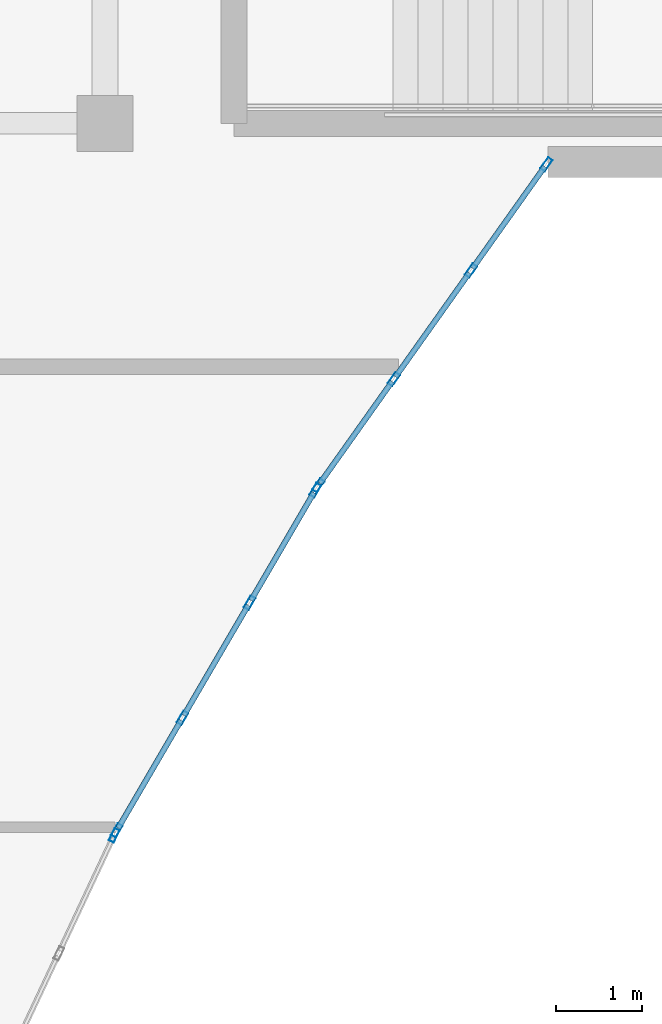
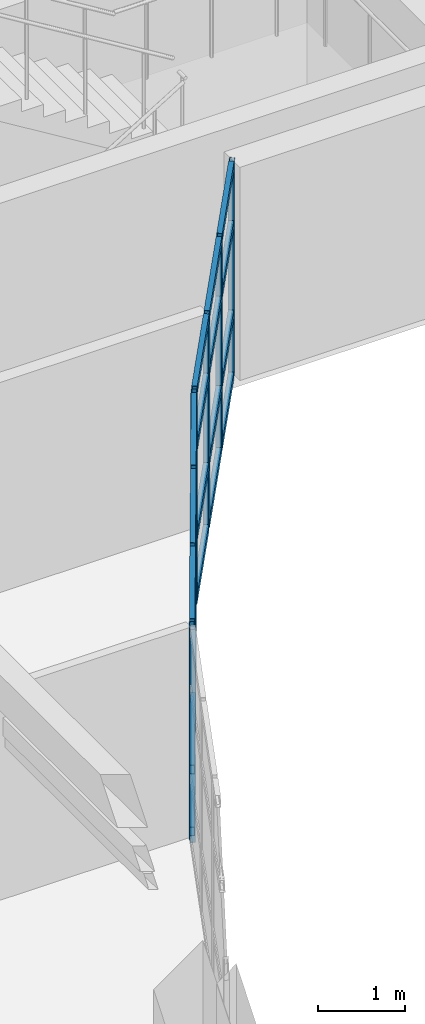
# One storey, part 9 of 89: 33 members, 3 elements without a shape of their own.
"""IFC4 building model written with IfcOpenShell, lengths in metres."""

from ifc_helpers import new_model, si_unit, direction, frame, origin, origin_2d, place, context, subcontext, project, spatial, hollow_rectangle, extrude, material, layer, layer_set, material_profile, profile_set, type_object, element, aggregate, save


model = new_model("IFC4")

# Units and contexts
model_context = context("Model", 3, precision=1e-05, world=origin(), true_north=direction((0.0, 1.0)))
body_context = subcontext(model_context, "Body", "Model", "MODEL_VIEW")
ifc_project = project(units=[si_unit("LENGTHUNIT", "METRE"), si_unit("AREAUNIT", "SQUARE_METRE"), si_unit("VOLUMEUNIT", "CUBIC_METRE"), si_unit("PLANEANGLEUNIT", "RADIAN"), si_unit("MASSUNIT", "GRAM", prefix="KILO")], contexts=[model_context])

# Site, building, storey
site_placement = place(None, origin())
site = spatial("IfcSite", under=ifc_project, at=site_placement, CompositionType="ELEMENT")
building_placement = place(site_placement, origin())
building = spatial("IfcBuilding", under=site, at=building_placement, Name="Keldmere Railside Commons", CompositionType="ELEMENT")
storey_placement = place(building_placement, frame((0.0, 0.0, 7.360107421875)))
storey = spatial("IfcBuildingStorey", under=building, at=storey_placement, Name="L02", CompositionType="ELEMENT", Elevation=7.360107421875)

# Curtain wall, member
ifc_material = material(Name="Thermally Broken Aluminium", Category="aluminium")
ifc_layer_1 = layer(ifc_material, 0.159912109375, Name="Court Chord Wintergarden CW 4800x2850")
ifc_layer_set_1 = layer_set([ifc_layer_1], Name="Thermally Broken Aluminium")
curtain_wall_type_1 = type_object("IfcCurtainWallType", Name="Court Chord Wintergarden CW 4800x2850", PredefinedType="NOTDEFINED", material=ifc_layer_set_1)
curtain_wall_1_placement = place(storey_placement, origin())
curtain_wall_1 = element("IfcCurtainWall", 1, at=curtain_wall_1_placement, inside=storey, type_object=curtain_wall_type_1, Name="CW-12 CW-L02-007", PredefinedType="NOTDEFINED")
ifc_material_profile_1 = material_profile(ifc_material, hollow_rectangle(XDim=0.06494140625, YDim=0.159912109375, WallThickness=0.00390625, at=origin_2d()), Name="ALU-MULL-65x160")
ifc_profile_set_1 = profile_set([ifc_material_profile_1], Name="Thermally Broken Aluminium")
member_type_1 = type_object("IfcMemberType", Name="Unitised Curtain Wall Mullion 65x160", PredefinedType="MULLION", material=ifc_profile_set_1)
member_1_placement = place(storey_placement, frame((25.958251953125, 92.173583984375, 0.0), z_axis=(0.0, 0.0, 1.0), x_axis=(0.905306255478, -0.424759442264, 0.0)))
member_1 = element("IfcMember", 2, at=member_1_placement, type_object=member_type_1, Name="CW-12 mullion 1", PredefinedType="MULLION", context=body_context, shape_type="SweptSolid", body=[
    extrude(hollow_rectangle(XDim=0.06494140625, YDim=0.159912109375, WallThickness=0.00390625, at=origin_2d()), origin(), (0.0, 0.0, 1.0), 2.97998046875),
])
aggregate(curtain_wall_1, [member_1])

# Curtain wall, members
ifc_layer_2 = layer(ifc_material, 0.159912109375, Name="Court Chord Wintergarden CW 5400x2850")
ifc_layer_set_2 = layer_set([ifc_layer_2], Name="Thermally Broken Aluminium")
curtain_wall_type_2 = type_object("IfcCurtainWallType", Name="Court Chord Wintergarden CW 5400x2850", PredefinedType="NOTDEFINED", material=ifc_layer_set_2)
curtain_wall_2_placement = place(storey_placement, origin())
curtain_wall_2 = element("IfcCurtainWall", 3, at=curtain_wall_2_placement, inside=storey, type_object=curtain_wall_type_2, Name="CW-13 CW-L02-008", PredefinedType="NOTDEFINED")
member_2_placement = place(storey_placement, frame((28.295654296875, 96.18603515625, 0.0), z_axis=(0.0, 0.0, 1.0), x_axis=(0.86375546846, -0.503911193272, 0.0)))
member_2 = element("IfcMember", 4, at=member_2_placement, type_object=member_type_1, Name="CW-13 mullion 1", PredefinedType="MULLION", context=body_context, shape_type="SweptSolid", body=[
    extrude(hollow_rectangle(XDim=0.06494140625, YDim=0.159912109375, WallThickness=0.00390625, at=origin_2d()), origin(), (0.0, 0.0, 1.0), 2.97998046875),
])
member_3_placement = place(storey_placement, frame((27.531982421875, 94.876953125, 0.0), z_axis=(0.0, 0.0, 1.0), x_axis=(0.86375546846, -0.503911193272, 0.0)))
member_3 = element("IfcMember", 5, at=member_3_placement, type_object=member_type_1, Name="CW-13 mullion 2", PredefinedType="MULLION", context=body_context, shape_type="SweptSolid", body=[
    extrude(hollow_rectangle(XDim=0.06494140625, YDim=0.159912109375, WallThickness=0.00390625, at=origin_2d()), origin(), (0.0, 0.0, 1.0), 2.97998046875),
])
member_4_placement = place(storey_placement, frame((26.751953125, 93.5400390625, 0.0), z_axis=(0.0, 0.0, 1.0), x_axis=(0.86375546846, -0.503911193272, 0.0)))
member_4 = element("IfcMember", 6, at=member_4_placement, type_object=member_type_1, Name="CW-13 mullion 3", PredefinedType="MULLION", context=body_context, shape_type="SweptSolid", body=[
    extrude(hollow_rectangle(XDim=0.06494140625, YDim=0.159912109375, WallThickness=0.00390625, at=origin_2d()), origin(), (0.0, 0.0, 1.0), 2.97998046875),
])
member_5_placement = place(storey_placement, frame((25.98828125, 92.23095703125, 0.0), z_axis=(0.0, 0.0, 1.0), x_axis=(0.86375546846, -0.503911193272, 0.0)))
member_5 = element("IfcMember", 7, at=member_5_placement, type_object=member_type_1, Name="CW-13 mullion 4", PredefinedType="MULLION", context=body_context, shape_type="SweptSolid", body=[
    extrude(hollow_rectangle(XDim=0.06494140625, YDim=0.159912109375, WallThickness=0.00390625, at=origin_2d()), origin(), (0.0, 0.0, 1.0), 2.97998046875),
])

curtain_wall_3_placement = place(storey_placement, origin())
curtain_wall_3 = element("IfcCurtainWall", 8, at=curtain_wall_3_placement, inside=storey, type_object=curtain_wall_type_1, Name="CW-12 CW-L02-009", PredefinedType="NOTDEFINED")
member_6_placement = place(storey_placement, frame((30.981201171875, 99.973388671875, 0.0), z_axis=(0.0, 0.0, 1.0), x_axis=(0.815389084395, -0.578913327753, 0.0)))
member_6 = element("IfcMember", 9, at=member_6_placement, type_object=member_type_1, Name="CW-12 mullion 1", PredefinedType="MULLION", context=body_context, shape_type="SweptSolid", body=[
    extrude(hollow_rectangle(XDim=0.06494140625, YDim=0.159912109375, WallThickness=0.00390625, at=origin_2d()), origin(), (0.0, 0.0, 1.0), 2.97998046875),
])
member_7_placement = place(storey_placement, frame((30.10400390625, 98.738037109375, 0.0), z_axis=(0.0, 0.0, 1.0), x_axis=(0.815389084395, -0.578913327753, 0.0)))
member_7 = element("IfcMember", 10, at=member_7_placement, type_object=member_type_1, Name="CW-12 mullion 2", PredefinedType="MULLION", context=body_context, shape_type="SweptSolid", body=[
    extrude(hollow_rectangle(XDim=0.06494140625, YDim=0.159912109375, WallThickness=0.00390625, at=origin_2d()), origin(), (0.0, 0.0, 1.0), 2.97998046875),
])
member_8_placement = place(storey_placement, frame((29.2080078125, 97.47607421875, 0.0), z_axis=(0.0, 0.0, 1.0), x_axis=(0.815389084395, -0.578913327753, 0.0)))
member_8 = element("IfcMember", 11, at=member_8_placement, type_object=member_type_1, Name="CW-12 mullion 3", PredefinedType="MULLION", context=body_context, shape_type="SweptSolid", body=[
    extrude(hollow_rectangle(XDim=0.06494140625, YDim=0.159912109375, WallThickness=0.00390625, at=origin_2d()), origin(), (0.0, 0.0, 1.0), 2.97998046875),
])
member_9_placement = place(storey_placement, frame((28.330810546875, 96.240478515625, 0.0), z_axis=(0.0, 0.0, 1.0), x_axis=(0.815389084395, -0.578913327753, 0.0)))
member_9 = element("IfcMember", 12, at=member_9_placement, type_object=member_type_1, Name="CW-12 mullion 4", PredefinedType="MULLION", context=body_context, shape_type="SweptSolid", body=[
    extrude(hollow_rectangle(XDim=0.06494140625, YDim=0.159912109375, WallThickness=0.00390625, at=origin_2d()), origin(), (0.0, 0.0, 1.0), 2.97998046875),
])

# Member
ifc_material_profile_2 = material_profile(ifc_material, hollow_rectangle(XDim=0.06494140625, YDim=0.1201171875, WallThickness=0.00390625, at=origin_2d()), Name="ALU-TRAN-65x120")
ifc_profile_set_2 = profile_set([ifc_material_profile_2], Name="Thermally Broken Aluminium")
member_type_2 = type_object("IfcMemberType", Name="Unitised Curtain Wall Transom 65x120", PredefinedType="USERDEFINED", material=ifc_profile_set_2)
member_10_placement = place(storey_placement, frame((28.279296875, 96.157958984375, 0.032470703125), z_axis=(-0.503912883812, -0.863754482205, 0.0), x_axis=(0.863754482205, -0.503912883812, 0.0)))
member_10 = element("IfcMember", 13, at=member_10_placement, type_object=member_type_2, Name="CW-13 transom 1.1", ObjectType="TRANSOM", PredefinedType="USERDEFINED", context=body_context, shape_type="SweptSolid", body=[
    extrude(hollow_rectangle(XDim=0.06494140625, YDim=0.1201171875, WallThickness=0.00390625, at=origin_2d()), origin(), (0.0, 0.0, 1.0), 1.45068359375),
])

member_11_placement = place(storey_placement, frame((28.279296875, 96.157958984375, 0.89990234375), z_axis=(-0.503912883812, -0.863754482205, 0.0), x_axis=(0.863754482205, -0.503912883812, 0.0)))
member_11 = element("IfcMember", 14, at=member_11_placement, type_object=member_type_2, Name="CW-13 transom 1.2", ObjectType="TRANSOM", PredefinedType="USERDEFINED", context=body_context, shape_type="SweptSolid", body=[
    extrude(hollow_rectangle(XDim=0.06494140625, YDim=0.1201171875, WallThickness=0.00390625, at=origin_2d()), origin(), (0.0, 0.0, 1.0), 1.45068359375),
])

member_12_placement = place(storey_placement, frame((28.279296875, 96.157958984375, 2.14990234375), z_axis=(-0.503912883812, -0.863754482205, 0.0), x_axis=(0.863754482205, -0.503912883812, 0.0)))
member_12 = element("IfcMember", 15, at=member_12_placement, type_object=member_type_2, Name="CW-13 transom 1.3", ObjectType="TRANSOM", PredefinedType="USERDEFINED", context=body_context, shape_type="SweptSolid", body=[
    extrude(hollow_rectangle(XDim=0.06494140625, YDim=0.1201171875, WallThickness=0.00390625, at=origin_2d()), origin(), (0.0, 0.0, 1.0), 1.45068359375),
])

member_13_placement = place(storey_placement, frame((28.279296875, 96.157958984375, 2.947509765625), z_axis=(-0.503912883812, -0.863754482205, 0.0), x_axis=(0.863754482205, -0.503912883812, 0.0)))
member_13 = element("IfcMember", 16, at=member_13_placement, type_object=member_type_2, Name="CW-13 transom 1.4", ObjectType="TRANSOM", PredefinedType="USERDEFINED", context=body_context, shape_type="SweptSolid", body=[
    extrude(hollow_rectangle(XDim=0.06494140625, YDim=0.1201171875, WallThickness=0.00390625, at=origin_2d()), origin(), (0.0, 0.0, 1.0), 1.45068359375),
])

member_14_placement = place(storey_placement, frame((27.515625, 94.848876953125, 0.032470703125), z_axis=(-0.503973390927, -0.863719179616, 0.0), x_axis=(0.863719179616, -0.503973390927, 0.0)))
member_14 = element("IfcMember", 17, at=member_14_placement, type_object=member_type_2, Name="CW-13 transom 2.1", ObjectType="TRANSOM", PredefinedType="USERDEFINED", context=body_context, shape_type="SweptSolid", body=[
    extrude(hollow_rectangle(XDim=0.06494140625, YDim=0.1201171875, WallThickness=0.00390625, at=origin_2d()), origin(), (0.0, 0.0, 1.0), 1.48291015625),
])

member_15_placement = place(storey_placement, frame((27.515625, 94.848876953125, 0.89990234375), z_axis=(-0.503973390927, -0.863719179616, 0.0), x_axis=(0.863719179616, -0.503973390927, 0.0)))
member_15 = element("IfcMember", 18, at=member_15_placement, type_object=member_type_2, Name="CW-13 transom 2.2", ObjectType="TRANSOM", PredefinedType="USERDEFINED", context=body_context, shape_type="SweptSolid", body=[
    extrude(hollow_rectangle(XDim=0.06494140625, YDim=0.1201171875, WallThickness=0.00390625, at=origin_2d()), origin(), (0.0, 0.0, 1.0), 1.48291015625),
])

member_16_placement = place(storey_placement, frame((27.515625, 94.848876953125, 2.14990234375), z_axis=(-0.503973390927, -0.863719179616, 0.0), x_axis=(0.863719179616, -0.503973390927, 0.0)))
member_16 = element("IfcMember", 19, at=member_16_placement, type_object=member_type_2, Name="CW-13 transom 2.3", ObjectType="TRANSOM", PredefinedType="USERDEFINED", context=body_context, shape_type="SweptSolid", body=[
    extrude(hollow_rectangle(XDim=0.06494140625, YDim=0.1201171875, WallThickness=0.00390625, at=origin_2d()), origin(), (0.0, 0.0, 1.0), 1.48291015625),
])

member_17_placement = place(storey_placement, frame((27.515625, 94.848876953125, 2.947509765625), z_axis=(-0.503973390927, -0.863719179616, 0.0), x_axis=(0.863719179616, -0.503973390927, 0.0)))
member_17 = element("IfcMember", 20, at=member_17_placement, type_object=member_type_2, Name="CW-13 transom 2.4", ObjectType="TRANSOM", PredefinedType="USERDEFINED", context=body_context, shape_type="SweptSolid", body=[
    extrude(hollow_rectangle(XDim=0.06494140625, YDim=0.1201171875, WallThickness=0.00390625, at=origin_2d()), origin(), (0.0, 0.0, 1.0), 1.48291015625),
])

member_18_placement = place(storey_placement, frame((26.735595703125, 93.511962890625, 0.032470703125), z_axis=(-0.503912883812, -0.863754482205, 0.0), x_axis=(0.863754482205, -0.503912883812, 0.0)))
member_18 = element("IfcMember", 21, at=member_18_placement, type_object=member_type_2, Name="CW-13 transom 3.1", ObjectType="TRANSOM", PredefinedType="USERDEFINED", context=body_context, shape_type="SweptSolid", body=[
    extrude(hollow_rectangle(XDim=0.06494140625, YDim=0.1201171875, WallThickness=0.00390625, at=origin_2d()), origin(), (0.0, 0.0, 1.0), 1.45068359375),
])

member_19_placement = place(storey_placement, frame((26.735595703125, 93.511962890625, 0.89990234375), z_axis=(-0.503912883812, -0.863754482205, 0.0), x_axis=(0.863754482205, -0.503912883812, 0.0)))
member_19 = element("IfcMember", 22, at=member_19_placement, type_object=member_type_2, Name="CW-13 transom 3.2", ObjectType="TRANSOM", PredefinedType="USERDEFINED", context=body_context, shape_type="SweptSolid", body=[
    extrude(hollow_rectangle(XDim=0.06494140625, YDim=0.1201171875, WallThickness=0.00390625, at=origin_2d()), origin(), (0.0, 0.0, 1.0), 1.45068359375),
])

member_20_placement = place(storey_placement, frame((26.735595703125, 93.511962890625, 2.14990234375), z_axis=(-0.503912883812, -0.863754482205, 0.0), x_axis=(0.863754482205, -0.503912883812, 0.0)))
member_20 = element("IfcMember", 23, at=member_20_placement, type_object=member_type_2, Name="CW-13 transom 3.3", ObjectType="TRANSOM", PredefinedType="USERDEFINED", context=body_context, shape_type="SweptSolid", body=[
    extrude(hollow_rectangle(XDim=0.06494140625, YDim=0.1201171875, WallThickness=0.00390625, at=origin_2d()), origin(), (0.0, 0.0, 1.0), 1.45068359375),
])

member_21_placement = place(storey_placement, frame((26.735595703125, 93.511962890625, 2.947509765625), z_axis=(-0.503912883812, -0.863754482205, 0.0), x_axis=(0.863754482205, -0.503912883812, 0.0)))
member_21 = element("IfcMember", 24, at=member_21_placement, type_object=member_type_2, Name="CW-13 transom 3.4", ObjectType="TRANSOM", PredefinedType="USERDEFINED", context=body_context, shape_type="SweptSolid", body=[
    extrude(hollow_rectangle(XDim=0.06494140625, YDim=0.1201171875, WallThickness=0.00390625, at=origin_2d()), origin(), (0.0, 0.0, 1.0), 1.45068359375),
])

aggregate(curtain_wall_2, [member_2, member_3, member_4, member_5, member_10, member_11, member_12, member_13, member_14, member_15, member_16, member_17, member_18, member_19, member_20, member_21])

member_22_placement = place(storey_placement, frame((30.96240234375, 99.947021484375, 0.032470703125), z_axis=(-0.578895059002, -0.815402054611, 0.0), x_axis=(0.815402054611, -0.578895059002, 0.0)))
member_22 = element("IfcMember", 25, at=member_22_placement, type_object=member_type_2, Name="CW-12 transom 1.1", ObjectType="TRANSOM", PredefinedType="USERDEFINED", context=body_context, shape_type="SweptSolid", body=[
    extrude(hollow_rectangle(XDim=0.06494140625, YDim=0.1201171875, WallThickness=0.00390625, at=origin_2d()), origin(), (0.0, 0.0, 1.0), 1.450439453125),
])

member_23_placement = place(storey_placement, frame((30.96240234375, 99.947021484375, 0.89990234375), z_axis=(-0.578895059002, -0.815402054611, 0.0), x_axis=(0.815402054611, -0.578895059002, 0.0)))
member_23 = element("IfcMember", 26, at=member_23_placement, type_object=member_type_2, Name="CW-12 transom 1.2", ObjectType="TRANSOM", PredefinedType="USERDEFINED", context=body_context, shape_type="SweptSolid", body=[
    extrude(hollow_rectangle(XDim=0.06494140625, YDim=0.1201171875, WallThickness=0.00390625, at=origin_2d()), origin(), (0.0, 0.0, 1.0), 1.450439453125),
])

member_24_placement = place(storey_placement, frame((30.96240234375, 99.947021484375, 2.14990234375), z_axis=(-0.578895059002, -0.815402054611, 0.0), x_axis=(0.815402054611, -0.578895059002, 0.0)))
member_24 = element("IfcMember", 27, at=member_24_placement, type_object=member_type_2, Name="CW-12 transom 1.3", ObjectType="TRANSOM", PredefinedType="USERDEFINED", context=body_context, shape_type="SweptSolid", body=[
    extrude(hollow_rectangle(XDim=0.06494140625, YDim=0.1201171875, WallThickness=0.00390625, at=origin_2d()), origin(), (0.0, 0.0, 1.0), 1.450439453125),
])

member_25_placement = place(storey_placement, frame((30.96240234375, 99.947021484375, 2.947509765625), z_axis=(-0.578895059002, -0.815402054611, 0.0), x_axis=(0.815402054611, -0.578895059002, 0.0)))
member_25 = element("IfcMember", 28, at=member_25_placement, type_object=member_type_2, Name="CW-12 transom 1.4", ObjectType="TRANSOM", PredefinedType="USERDEFINED", context=body_context, shape_type="SweptSolid", body=[
    extrude(hollow_rectangle(XDim=0.06494140625, YDim=0.1201171875, WallThickness=0.00390625, at=origin_2d()), origin(), (0.0, 0.0, 1.0), 1.450439453125),
])

member_26_placement = place(storey_placement, frame((30.085205078125, 98.71142578125, 0.032470703125), z_axis=(-0.578930676765, -0.815376766593, 0.0), x_axis=(0.815376766593, -0.578930676765, 0.0)))
member_26 = element("IfcMember", 29, at=member_26_placement, type_object=member_type_2, Name="CW-12 transom 2.1", ObjectType="TRANSOM", PredefinedType="USERDEFINED", context=body_context, shape_type="SweptSolid", body=[
    extrude(hollow_rectangle(XDim=0.06494140625, YDim=0.1201171875, WallThickness=0.00390625, at=origin_2d()), origin(), (0.0, 0.0, 1.0), 1.482666015625),
])

member_27_placement = place(storey_placement, frame((30.085205078125, 98.71142578125, 0.89990234375), z_axis=(-0.578930676765, -0.815376766593, 0.0), x_axis=(0.815376766593, -0.578930676765, 0.0)))
member_27 = element("IfcMember", 30, at=member_27_placement, type_object=member_type_2, Name="CW-12 transom 2.2", ObjectType="TRANSOM", PredefinedType="USERDEFINED", context=body_context, shape_type="SweptSolid", body=[
    extrude(hollow_rectangle(XDim=0.06494140625, YDim=0.1201171875, WallThickness=0.00390625, at=origin_2d()), origin(), (0.0, 0.0, 1.0), 1.482666015625),
])

member_28_placement = place(storey_placement, frame((30.085205078125, 98.71142578125, 2.14990234375), z_axis=(-0.578930676765, -0.815376766593, 0.0), x_axis=(0.815376766593, -0.578930676765, 0.0)))
member_28 = element("IfcMember", 31, at=member_28_placement, type_object=member_type_2, Name="CW-12 transom 2.3", ObjectType="TRANSOM", PredefinedType="USERDEFINED", context=body_context, shape_type="SweptSolid", body=[
    extrude(hollow_rectangle(XDim=0.06494140625, YDim=0.1201171875, WallThickness=0.00390625, at=origin_2d()), origin(), (0.0, 0.0, 1.0), 1.482666015625),
])

member_29_placement = place(storey_placement, frame((30.085205078125, 98.71142578125, 2.947509765625), z_axis=(-0.578930676765, -0.815376766593, 0.0), x_axis=(0.815376766593, -0.578930676765, 0.0)))
member_29 = element("IfcMember", 32, at=member_29_placement, type_object=member_type_2, Name="CW-12 transom 2.4", ObjectType="TRANSOM", PredefinedType="USERDEFINED", context=body_context, shape_type="SweptSolid", body=[
    extrude(hollow_rectangle(XDim=0.06494140625, YDim=0.1201171875, WallThickness=0.00390625, at=origin_2d()), origin(), (0.0, 0.0, 1.0), 1.482666015625),
])

member_30_placement = place(storey_placement, frame((29.189208984375, 97.449462890625, 0.032470703125), z_axis=(-0.578974525468, -0.815345631533, 0.0), x_axis=(0.815345631533, -0.578974525468, 0.0)))
member_30 = element("IfcMember", 33, at=member_30_placement, type_object=member_type_2, Name="CW-12 transom 3.1", ObjectType="TRANSOM", PredefinedType="USERDEFINED", context=body_context, shape_type="SweptSolid", body=[
    extrude(hollow_rectangle(XDim=0.06494140625, YDim=0.1201171875, WallThickness=0.00390625, at=origin_2d()), origin(), (0.0, 0.0, 1.0), 1.4501953125),
])

member_31_placement = place(storey_placement, frame((29.189208984375, 97.449462890625, 0.89990234375), z_axis=(-0.578974525468, -0.815345631533, 0.0), x_axis=(0.815345631533, -0.578974525468, 0.0)))
member_31 = element("IfcMember", 34, at=member_31_placement, type_object=member_type_2, Name="CW-12 transom 3.2", ObjectType="TRANSOM", PredefinedType="USERDEFINED", context=body_context, shape_type="SweptSolid", body=[
    extrude(hollow_rectangle(XDim=0.06494140625, YDim=0.1201171875, WallThickness=0.00390625, at=origin_2d()), origin(), (0.0, 0.0, 1.0), 1.4501953125),
])

member_32_placement = place(storey_placement, frame((29.189208984375, 97.449462890625, 2.14990234375), z_axis=(-0.578974525468, -0.815345631533, 0.0), x_axis=(0.815345631533, -0.578974525468, 0.0)))
member_32 = element("IfcMember", 35, at=member_32_placement, type_object=member_type_2, Name="CW-12 transom 3.3", ObjectType="TRANSOM", PredefinedType="USERDEFINED", context=body_context, shape_type="SweptSolid", body=[
    extrude(hollow_rectangle(XDim=0.06494140625, YDim=0.1201171875, WallThickness=0.00390625, at=origin_2d()), origin(), (0.0, 0.0, 1.0), 1.4501953125),
])

member_33_placement = place(storey_placement, frame((29.189208984375, 97.449462890625, 2.947509765625), z_axis=(-0.578974525468, -0.815345631533, 0.0), x_axis=(0.815345631533, -0.578974525468, 0.0)))
member_33 = element("IfcMember", 36, at=member_33_placement, type_object=member_type_2, Name="CW-12 transom 3.4", ObjectType="TRANSOM", PredefinedType="USERDEFINED", context=body_context, shape_type="SweptSolid", body=[
    extrude(hollow_rectangle(XDim=0.06494140625, YDim=0.1201171875, WallThickness=0.00390625, at=origin_2d()), origin(), (0.0, 0.0, 1.0), 1.4501953125),
])

aggregate(curtain_wall_3, [member_6, member_7, member_8, member_9, member_22, member_23, member_24, member_25, member_26, member_27, member_28, member_29, member_30, member_31, member_32, member_33])

save(model, "model.ifc")
